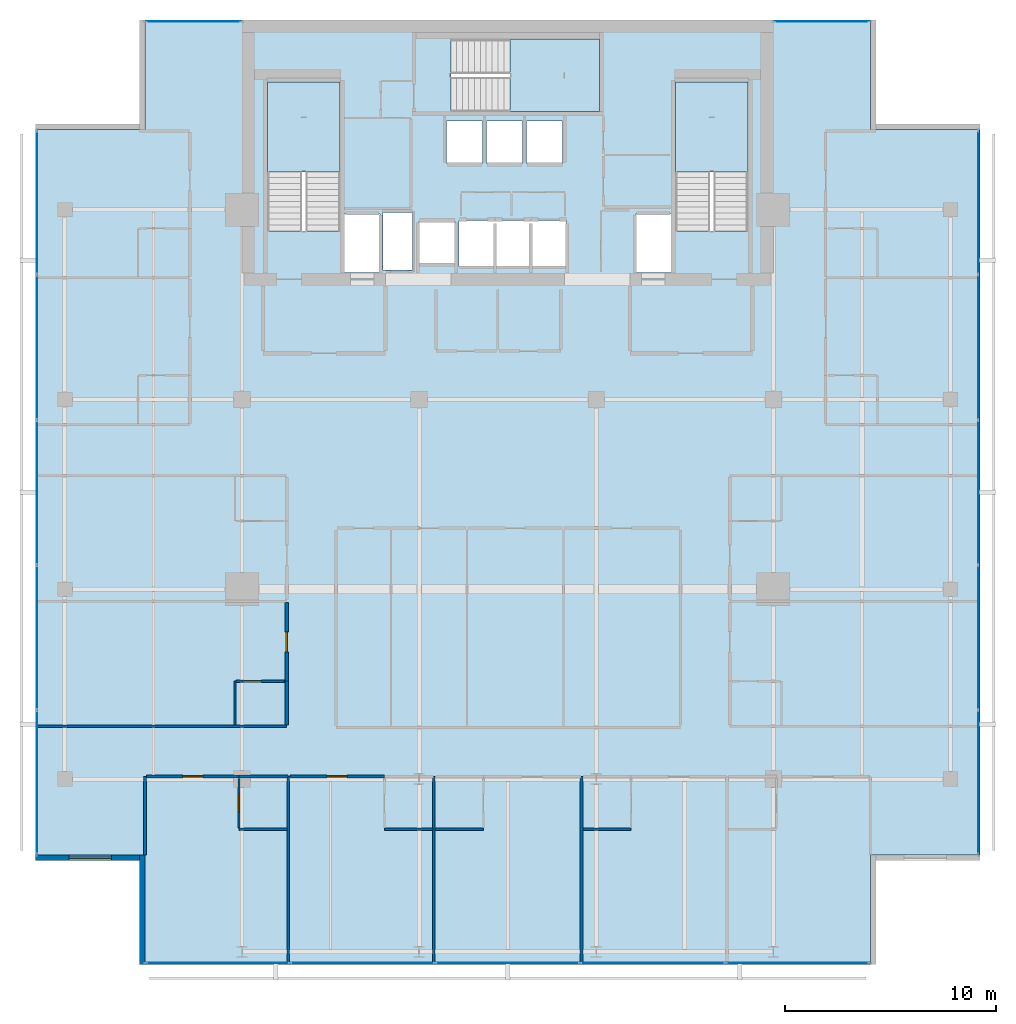
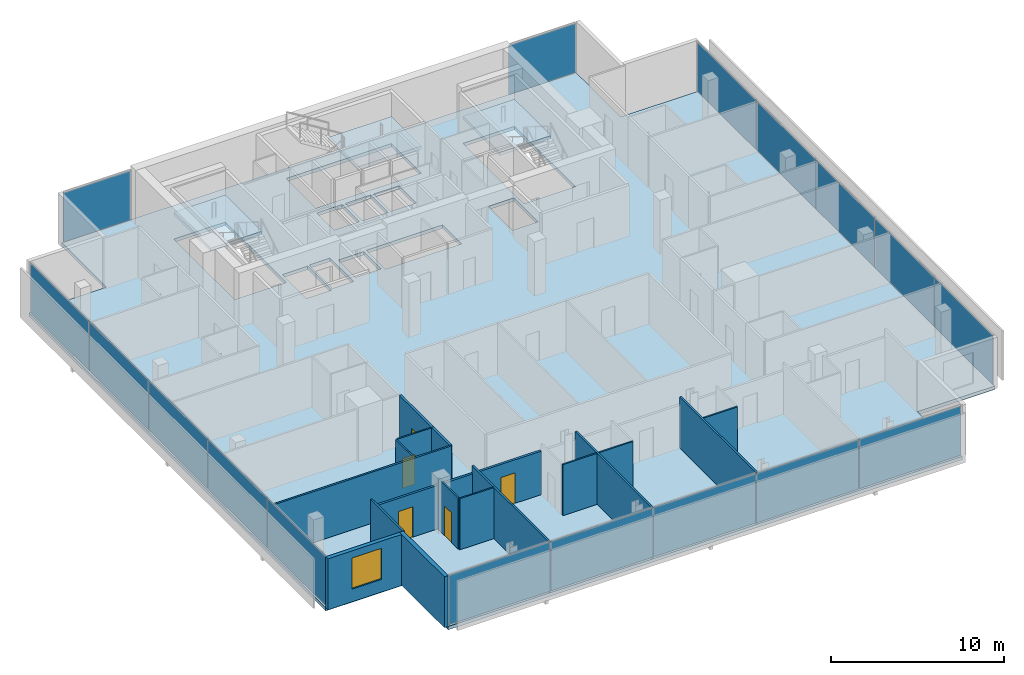
# One storey, part 19 of 26: 19 walls, 17 plates, 5 doors, 4 slabs, 1 window, 6 openings, 8 elements without a shape of their own.
"""IFC4 building model written with IfcOpenShell, lengths in metres."""

from ifc_helpers import new_model, si_unit, direction, frame, frame_2d, origin, origin_2d, place, context, subcontext, project, spatial, polyline, rectangle, outline, extrude, material, layer, layer_set, type_object, element, fill, aggregate, save


model = new_model("IFC4")

# Units and contexts
model_context = context("Model", 3, precision=1e-05, world=origin(), true_north=direction((0.0, 1.0)))
body_context = subcontext(model_context, "Body", "Model", "MODEL_VIEW")
ifc_project = project(units=[si_unit("LENGTHUNIT", "METRE"), si_unit("AREAUNIT", "SQUARE_METRE"), si_unit("VOLUMEUNIT", "CUBIC_METRE"), si_unit("PLANEANGLEUNIT", "RADIAN"), si_unit("MASSUNIT", "GRAM", prefix="KILO")], contexts=[model_context])

# Site, building, storey
site_placement = place(None, origin())
site = spatial("IfcSite", under=ifc_project, at=site_placement, CompositionType="ELEMENT")
building_placement = place(site_placement, origin())
building = spatial("IfcBuilding", under=site, at=building_placement, Name="Maruvema Waterfront Hotel and Observation Tower", CompositionType="ELEMENT")
storey_placement = place(building_placement, frame((0.0, 0.0, 266.35009765625)))
storey = spatial("IfcBuildingStorey", under=building, at=storey_placement, Name="L65", CompositionType="ELEMENT", Elevation=266.35009765625)

# Slab
ifc_material_1 = material(Name="Concrete C50/60", Category="concrete")
ifc_layer_1 = layer(ifc_material_1, 0.239990234375, Name="Reinforced Concrete Floor Slab 240 mm")
ifc_layer_set_1 = layer_set([ifc_layer_1], Name="Concrete C50/60")
slab_type_1 = type_object("IfcSlabType", Name="Reinforced Concrete Floor Slab 240 mm", PredefinedType="FLOOR", material=ifc_layer_set_1)
slab_1_placement = place(storey_placement, frame((0.0, 0.0, -0.239990234375)))
element("IfcSlab", 1, at=slab_1_placement, inside=storey, type_object=slab_type_1, Name="L65 Structural Floor Slab", PredefinedType="FLOOR", context=body_context, shape_type="SweptSolid", body=[
    extrude(outline(polyline([(20.60009765625, 9.199951171875), (55.0, 9.199951171875), (55.0, 14.39990234375), (60.199951171875, 14.39990234375), (60.199951171875, 48.800048828125), (55.0, 48.800048828125), (55.0, 54.0), (20.60009765625, 54.0), (20.60009765625, 48.800048828125), (15.39990234375, 48.800048828125), (15.39990234375, 14.39990234375), (20.60009765625, 14.39990234375), (20.60009765625, 9.199951171875)]), holes=[polyline([(26.39990234375, 44.00048828125), (26.39990234375, 51.050048828125), (29.85009765625, 51.050048828125), (29.85009765625, 44.00048828125), (26.39990234375, 44.00048828125)]), polyline([(30.050048828125, 44.800048828125), (31.75, 44.800048828125), (31.75, 42.02001953125), (30.050048828125, 42.02001953125), (30.050048828125, 44.800048828125)]), polyline([(31.8798828125, 42.139892578125), (31.8798828125, 44.860107421875), (33.280029296875, 44.860107421875), (33.280029296875, 42.139892578125), (31.8798828125, 42.139892578125)]), polyline([(33.60009765625, 44.449951171875), (35.300048828125, 44.449951171875), (35.300048828125, 42.449951171875), (33.60009765625, 42.449951171875), (33.60009765625, 44.449951171875)]), polyline([(34.89990234375, 49.199951171875), (36.60009765625, 49.199951171875), (36.60009765625, 47.199951171875), (34.89990234375, 47.199951171875), (34.89990234375, 49.199951171875)]), polyline([(36.800048828125, 47.199951171875), (36.800048828125, 49.199951171875), (38.5, 49.199951171875), (38.5, 47.199951171875), (36.800048828125, 47.199951171875)]), polyline([(35.5, 42.300048828125), (35.5, 44.5), (40.60009765625, 44.5), (40.60009765625, 42.300048828125), (35.5, 42.300048828125)]), polyline([(35.1005859375, 53.10009765625), (42.14990234375, 53.10009765625), (42.14990234375, 49.64990234375), (35.1005859375, 49.64990234375), (35.1005859375, 53.10009765625)]), polyline([(38.699951171875, 49.199951171875), (40.39990234375, 49.199951171875), (40.39990234375, 47.199951171875), (38.699951171875, 47.199951171875), (38.699951171875, 49.199951171875)]), polyline([(43.85009765625, 44.800048828125), (45.550048828125, 44.800048828125), (45.550048828125, 42.02001953125), (43.85009765625, 42.02001953125), (43.85009765625, 44.800048828125)]), polyline([(45.75, 44.00048828125), (45.75, 51.050048828125), (49.199951171875, 51.050048828125), (49.199951171875, 44.00048828125), (45.75, 44.00048828125)])]), origin(), (0.0, 0.0, 1.0), 0.239990234375),
])

# Curtain wall, plates
ifc_material_2 = material(Name="Anodised bronze aluminium and solar-control low-E IGU", Category="aluminium")
ifc_layer_2 = layer(ifc_material_2, 0.159912109375, Name="Zone 3 Champagne Inner Thermal Curtain Wall System CW-04")
ifc_layer_set_2 = layer_set([ifc_layer_2], Name="Anodised bronze aluminium and solar-control low-E IGU")
curtain_wall_type = type_object("IfcCurtainWallType", Name="Zone 3 Champagne Inner Thermal Curtain Wall System CW-04", PredefinedType="USERDEFINED", material=ifc_layer_set_2)
curtain_wall_1_placement = place(storey_placement, origin())
curtain_wall_1 = element("IfcCurtainWall", 2, at=curtain_wall_1_placement, inside=storey, type_object=curtain_wall_type, Name="L65 Curtain Wall CW-L65-S", ObjectType="UNITISED CURTAIN WALL", PredefinedType="USERDEFINED")
ifc_material_3 = material(Name="Laminated low-E solar-control double glazing", Category="glass")
ifc_layer_3 = layer(ifc_material_3, 0.035888671875, Name="Solar Control Double-Glazed Curtain Panel 36 mm")
ifc_layer_set_3 = layer_set([ifc_layer_3], Name="Laminated low-E solar-control double glazing")
plate_type = type_object("IfcPlateType", Name="Solar Control Double-Glazed Curtain Panel 36 mm", PredefinedType="CURTAIN_PANEL", material=ifc_layer_set_3)
plate_1_placement = place(storey_placement, frame((24.054931640625, 9.280029296875, 0.06005859375), z_axis=(0.0, 0.0, 1.0), x_axis=(1.0, 0.0, 0.0)))
plate_1 = element("IfcPlate", 3, at=plate_1_placement, type_object=plate_type, Name="CW-04 panel 1.1", PredefinedType="CURTAIN_PANEL", context=body_context, shape_type="SweptSolid", body=[
    extrude(rectangle(XDim=6.7900390625, YDim=0.028076171875, at=origin_2d()), origin(), (0.0, 0.0, 1.0), 3.489990234375),
])
plate_2_placement = place(storey_placement, frame((30.919921875, 9.280029296875, 0.06005859375), z_axis=(0.0, 0.0, 1.0), x_axis=(1.0, 0.0, 0.0)))
plate_2 = element("IfcPlate", 4, at=plate_2_placement, type_object=plate_type, Name="CW-04 panel 2.1", PredefinedType="CURTAIN_PANEL", context=body_context, shape_type="SweptSolid", body=[
    extrude(rectangle(XDim=6.820068359375, YDim=0.028076171875, at=origin_2d()), origin(), (0.0, 0.0, 1.0), 3.489990234375),
])
plate_3_placement = place(storey_placement, frame((37.800048828125, 9.280029296875, 0.06005859375), z_axis=(0.0, 0.0, 1.0), x_axis=(1.0, 0.0, 0.0)))
plate_3 = element("IfcPlate", 5, at=plate_3_placement, type_object=plate_type, Name="CW-04 panel 3.1", PredefinedType="CURTAIN_PANEL", context=body_context, shape_type="SweptSolid", body=[
    extrude(rectangle(XDim=6.820068359375, YDim=0.028076171875, at=origin_2d()), origin(), (0.0, 0.0, 1.0), 3.489990234375),
])
plate_4_placement = place(storey_placement, frame((44.679931640625, 9.280029296875, 0.06005859375), z_axis=(0.0, 0.0, 1.0), x_axis=(1.0, 0.0, 0.0)))
plate_4 = element("IfcPlate", 6, at=plate_4_placement, type_object=plate_type, Name="CW-04 panel 4.1", PredefinedType="CURTAIN_PANEL", context=body_context, shape_type="SweptSolid", body=[
    extrude(rectangle(XDim=6.820068359375, YDim=0.028076171875, at=origin_2d()), origin(), (0.0, 0.0, 1.0), 3.489990234375),
])
plate_5_placement = place(storey_placement, frame((51.544921875, 9.280029296875, 0.06005859375), z_axis=(0.0, 0.0, 1.0), x_axis=(1.0, 0.0, 0.0)))
plate_5 = element("IfcPlate", 7, at=plate_5_placement, type_object=plate_type, Name="CW-04 panel 5.1", PredefinedType="CURTAIN_PANEL", context=body_context, shape_type="SweptSolid", body=[
    extrude(rectangle(XDim=6.7900390625, YDim=0.028076171875, at=origin_2d()), origin(), (0.0, 0.0, 1.0), 3.489990234375),
])
aggregate(curtain_wall_1, [plate_1, plate_2, plate_3, plate_4, plate_5])

curtain_wall_2_placement = place(storey_placement, origin())
curtain_wall_2 = element("IfcCurtainWall", 8, at=curtain_wall_2_placement, inside=storey, type_object=curtain_wall_type, Name="L65 Curtain Wall CW-L65-E", ObjectType="UNITISED CURTAIN WALL", PredefinedType="USERDEFINED")
plate_6_placement = place(storey_placement, frame((60.1201171875, 17.85498046875, 0.06005859375), z_axis=(0.0, 0.0, 1.0), x_axis=(0.0, 1.0, 0.0)))
plate_6 = element("IfcPlate", 9, at=plate_6_placement, type_object=plate_type, Name="CW-04 panel 1.1", PredefinedType="CURTAIN_PANEL", context=body_context, shape_type="SweptSolid", body=[
    extrude(rectangle(XDim=6.7900390625, YDim=0.028076171875, at=origin_2d()), origin(), (0.0, 0.0, 1.0), 3.489990234375),
])
plate_7_placement = place(storey_placement, frame((60.1201171875, 24.719970703125, 0.06005859375), z_axis=(0.0, 0.0, 1.0), x_axis=(0.0, 1.0, 0.0)))
plate_7 = element("IfcPlate", 10, at=plate_7_placement, type_object=plate_type, Name="CW-04 panel 2.1", PredefinedType="CURTAIN_PANEL", context=body_context, shape_type="SweptSolid", body=[
    extrude(rectangle(XDim=6.820068359375, YDim=0.028076171875, at=origin_2d()), origin(), (0.0, 0.0, 1.0), 3.489990234375),
])
plate_8_placement = place(storey_placement, frame((60.1201171875, 31.60009765625, 0.06005859375), z_axis=(0.0, 0.0, 1.0), x_axis=(0.0, 1.0, 0.0)))
plate_8 = element("IfcPlate", 11, at=plate_8_placement, type_object=plate_type, Name="CW-04 panel 3.1", PredefinedType="CURTAIN_PANEL", context=body_context, shape_type="SweptSolid", body=[
    extrude(rectangle(XDim=6.820068359375, YDim=0.028076171875, at=origin_2d()), origin(), (0.0, 0.0, 1.0), 3.489990234375),
])
plate_9_placement = place(storey_placement, frame((60.1201171875, 38.47998046875, 0.06005859375), z_axis=(0.0, 0.0, 1.0), x_axis=(0.0, 1.0, 0.0)))
plate_9 = element("IfcPlate", 12, at=plate_9_placement, type_object=plate_type, Name="CW-04 panel 4.1", PredefinedType="CURTAIN_PANEL", context=body_context, shape_type="SweptSolid", body=[
    extrude(rectangle(XDim=6.820068359375, YDim=0.028076171875, at=origin_2d()), origin(), (0.0, 0.0, 1.0), 3.489990234375),
])
plate_10_placement = place(storey_placement, frame((60.1201171875, 45.344970703125, 0.06005859375), z_axis=(0.0, 0.0, 1.0), x_axis=(0.0, 1.0, 0.0)))
plate_10 = element("IfcPlate", 13, at=plate_10_placement, type_object=plate_type, Name="CW-04 panel 5.1", PredefinedType="CURTAIN_PANEL", context=body_context, shape_type="SweptSolid", body=[
    extrude(rectangle(XDim=6.7900390625, YDim=0.028076171875, at=origin_2d()), origin(), (0.0, 0.0, 1.0), 3.489990234375),
])
aggregate(curtain_wall_2, [plate_6, plate_7, plate_8, plate_9, plate_10])

curtain_wall_3_placement = place(storey_placement, origin())
curtain_wall_3 = element("IfcCurtainWall", 14, at=curtain_wall_3_placement, inside=storey, type_object=curtain_wall_type, Name="L65 Curtain Wall CW-L65-W", ObjectType="UNITISED CURTAIN WALL", PredefinedType="USERDEFINED")
plate_11_placement = place(storey_placement, frame((15.47998046875, 45.344970703125, 0.06005859375), z_axis=(0.0, 0.0, 1.0), x_axis=(0.0, -1.0, 0.0)))
plate_11 = element("IfcPlate", 15, at=plate_11_placement, type_object=plate_type, Name="CW-04 panel 1.1", PredefinedType="CURTAIN_PANEL", context=body_context, shape_type="SweptSolid", body=[
    extrude(rectangle(XDim=6.7900390625, YDim=0.028076171875, at=origin_2d()), origin(), (0.0, 0.0, 1.0), 3.489990234375),
])
plate_12_placement = place(storey_placement, frame((15.47998046875, 38.47998046875, 0.06005859375), z_axis=(0.0, 0.0, 1.0), x_axis=(0.0, -1.0, 0.0)))
plate_12 = element("IfcPlate", 16, at=plate_12_placement, type_object=plate_type, Name="CW-04 panel 2.1", PredefinedType="CURTAIN_PANEL", context=body_context, shape_type="SweptSolid", body=[
    extrude(rectangle(XDim=6.820068359375, YDim=0.028076171875, at=origin_2d()), origin(), (0.0, 0.0, 1.0), 3.489990234375),
])
plate_13_placement = place(storey_placement, frame((15.47998046875, 31.60009765625, 0.06005859375), z_axis=(0.0, 0.0, 1.0), x_axis=(0.0, -1.0, 0.0)))
plate_13 = element("IfcPlate", 17, at=plate_13_placement, type_object=plate_type, Name="CW-04 panel 3.1", PredefinedType="CURTAIN_PANEL", context=body_context, shape_type="SweptSolid", body=[
    extrude(rectangle(XDim=6.820068359375, YDim=0.028076171875, at=origin_2d()), origin(), (0.0, 0.0, 1.0), 3.489990234375),
])
plate_14_placement = place(storey_placement, frame((15.47998046875, 24.719970703125, 0.06005859375), z_axis=(0.0, 0.0, 1.0), x_axis=(0.0, -1.0, 0.0)))
plate_14 = element("IfcPlate", 18, at=plate_14_placement, type_object=plate_type, Name="CW-04 panel 4.1", PredefinedType="CURTAIN_PANEL", context=body_context, shape_type="SweptSolid", body=[
    extrude(rectangle(XDim=6.820068359375, YDim=0.028076171875, at=origin_2d()), origin(), (0.0, 0.0, 1.0), 3.489990234375),
])
plate_15_placement = place(storey_placement, frame((15.47998046875, 17.85498046875, 0.06005859375), z_axis=(0.0, 0.0, 1.0), x_axis=(0.0, -1.0, 0.0)))
plate_15 = element("IfcPlate", 19, at=plate_15_placement, type_object=plate_type, Name="CW-04 panel 5.1", PredefinedType="CURTAIN_PANEL", context=body_context, shape_type="SweptSolid", body=[
    extrude(rectangle(XDim=6.7900390625, YDim=0.028076171875, at=origin_2d()), origin(), (0.0, 0.0, 1.0), 3.489990234375),
])
aggregate(curtain_wall_3, [plate_11, plate_12, plate_13, plate_14, plate_15])

# Curtain wall, plate
curtain_wall_4_placement = place(storey_placement, origin())
curtain_wall_4 = element("IfcCurtainWall", 20, at=curtain_wall_4_placement, inside=storey, type_object=curtain_wall_type, Name="L65 Curtain Wall CW-L65-NW", ObjectType="UNITISED CURTAIN WALL", PredefinedType="USERDEFINED")
plate_16_placement = place(storey_placement, frame((22.89990234375, 53.919921875, 0.06005859375), z_axis=(0.0, 0.0, 1.0), x_axis=(-1.0, 0.0, 0.0)))
plate_16 = element("IfcPlate", 21, at=plate_16_placement, type_object=plate_type, Name="CW-04 panel 1.1", PredefinedType="CURTAIN_PANEL", context=body_context, shape_type="SweptSolid", body=[
    extrude(rectangle(XDim=4.47998046875, YDim=0.028076171875, at=origin_2d()), origin(), (0.0, 0.0, 1.0), 3.489990234375),
])
aggregate(curtain_wall_4, [plate_16])

curtain_wall_5_placement = place(storey_placement, origin())
curtain_wall_5 = element("IfcCurtainWall", 22, at=curtain_wall_5_placement, inside=storey, type_object=curtain_wall_type, Name="L65 Curtain Wall CW-L65-NE", ObjectType="UNITISED CURTAIN WALL", PredefinedType="USERDEFINED")
plate_17_placement = place(storey_placement, frame((52.699951171875, 53.919921875, 0.06005859375), z_axis=(0.0, 0.0, 1.0), x_axis=(-1.0, 0.0, 0.0)))
plate_17 = element("IfcPlate", 23, at=plate_17_placement, type_object=plate_type, Name="CW-04 panel 1.1", PredefinedType="CURTAIN_PANEL", context=body_context, shape_type="SweptSolid", body=[
    extrude(rectangle(XDim=4.47998046875, YDim=0.028076171875, at=origin_2d()), origin(), (0.0, 0.0, 1.0), 3.489990234375),
])
aggregate(curtain_wall_5, [plate_17])

# Stair, slab
ifc_material_4 = material(Name="Concrete C50/60", Category="concrete")
stair_type = type_object("IfcStairType", Name="Dogleg Exit Stair 1650 mm (22R x 175.0 mm)", PredefinedType="HALF_TURN_STAIR", material=ifc_material_4)
stair_1_placement = place(storey_placement, origin())
stair_1 = element("IfcStair", 24, at=stair_1_placement, inside=storey, type_object=stair_type, Name="L65 ST-01", PredefinedType="HALF_TURN_STAIR")
ifc_material_5 = material(Name="Concrete C50/60", Category="concrete")
ifc_layer_4 = layer(ifc_material_5, 0.219970703125, Name="Stair Concrete Landing Slab 220 mm")
ifc_layer_set_4 = layer_set([ifc_layer_4], Name="Concrete C50/60")
slab_type_2 = type_object("IfcSlabType", Name="Stair Concrete Landing Slab 220 mm", PredefinedType="LANDING", material=ifc_layer_set_4)
slab_2_placement = place(storey_placement, frame((0.0, 0.0, 1.704833984375)))
slab_2 = element("IfcSlab", 25, at=slab_2_placement, type_object=slab_type_2, Name="ST-01 landing 1", PredefinedType="LANDING", context=body_context, shape_type="SweptSolid", body=[
    extrude(outline(polyline([(29.85009765625, 46.800048828125), (29.85009765625, 51.050048828125), (26.39990234375, 51.050048828125), (26.39990234375, 46.800048828125), (29.85009765625, 46.800048828125)])), origin(), (0.0, 0.0, 1.0), 0.219970703125),
])
aggregate(stair_1, [slab_2])

stair_2_placement = place(storey_placement, origin())
stair_2 = element("IfcStair", 26, at=stair_2_placement, inside=storey, type_object=stair_type, Name="L65 ST-02", PredefinedType="HALF_TURN_STAIR")
slab_3_placement = place(storey_placement, frame((0.0, 0.0, 1.704833984375)))
slab_3 = element("IfcSlab", 27, at=slab_3_placement, type_object=slab_type_2, Name="ST-02 landing 1", PredefinedType="LANDING", context=body_context, shape_type="SweptSolid", body=[
    extrude(outline(polyline([(37.89990234375, 49.64990234375), (42.14990234375, 49.64990234375), (42.14990234375, 53.10009765625), (37.89990234375, 53.10009765625), (37.89990234375, 49.64990234375)])), origin(), (0.0, 0.0, 1.0), 0.219970703125),
])
aggregate(stair_2, [slab_3])

stair_3_placement = place(storey_placement, origin())
stair_3 = element("IfcStair", 28, at=stair_3_placement, inside=storey, type_object=stair_type, Name="L65 ST-03", PredefinedType="HALF_TURN_STAIR")
slab_4_placement = place(storey_placement, frame((0.0, 0.0, 1.704833984375)))
slab_4 = element("IfcSlab", 29, at=slab_4_placement, type_object=slab_type_2, Name="ST-03 landing 1", PredefinedType="LANDING", context=body_context, shape_type="SweptSolid", body=[
    extrude(outline(polyline([(49.199951171875, 46.800048828125), (49.199951171875, 51.050048828125), (45.75, 51.050048828125), (45.75, 46.800048828125), (49.199951171875, 46.800048828125)])), origin(), (0.0, 0.0, 1.0), 0.219970703125),
])
aggregate(stair_3, [slab_4])

# Wall
ifc_material_6 = material(Name="Twin-stud acoustic gypsum drywall", Category="gypsum")
ifc_layer_5 = layer(ifc_material_6, 0.14990234375, Name="Acoustic Corridor and Suite Demising Wall 150 mm")
ifc_layer_set_5 = layer_set([ifc_layer_5], Name="Twin-stud acoustic gypsum drywall")
wall_type_1 = type_object("IfcWallType", Name="Acoustic Corridor and Suite Demising Wall 150 mm", PredefinedType="PARTITIONING", material=ifc_layer_set_5)
wall_1_placement = place(storey_placement, frame((25.050048828125, 18.1201171875, 0.0), z_axis=(0.0, 0.0, 1.0), x_axis=(1.0, 0.0, 0.0)))
element("IfcWall", 30, at=wall_1_placement, inside=storey, type_object=wall_type_1, Name="L65 Bath L65-S1 Back Wall 043", PredefinedType="PARTITIONING", context=body_context, shape_type="SweptSolid", body=[
    extrude(rectangle(XDim=2.329833984375, YDim=0.14990234375, at=frame_2d((1.1650390625, 0.0))), origin(), (0.0, 0.0, 1.0), 3.076904296875),
])

# Wall, opening, door
wall_2_placement = place(storey_placement, frame((20.679931640625, 18.1201171875, 0.0), z_axis=(0.0, 0.0, 1.0), x_axis=(1.0, 0.0, 0.0)))
wall_2 = element("IfcWall", 31, at=wall_2_placement, inside=storey, type_object=wall_type_1, Name="L65 Unit L65-S1 Corridor Wall 046", PredefinedType="PARTITIONING", context=body_context, shape_type="SweptSolid", body=[
    extrude(rectangle(XDim=4.3701171875, YDim=0.14990234375, at=frame_2d((2.18505859375, 0.0))), origin(), (0.0, 0.0, 1.0), 3.076904296875),
])
opening_1_placement = place(wall_2_placement, frame((1.7099609375, 0.0, 0.0)))
opening_1 = element("IfcOpeningElement", 32, at=opening_1_placement, cuts=wall_2, Name="Opening DR-095", PredefinedType="OPENING", context=body_context, shape_type="SweptSolid", body=[
    extrude(rectangle(XDim=0.949951171875, YDim=2.14990234375, at=frame_2d((0.47509765625, 1.074951171875))), frame((0.0, 0.0849609375, 0.0), z_axis=(0.0, -1.0, 0.0), x_axis=(1.0, 0.0, 0.0)), (0.0, 0.0, 1.0), 0.169921875),
])
ifc_material_7 = material(Name="Acoustic solid-core hardwood timber leaf", Category="wood")
door_type_1 = type_object("IfcDoorType", Name="Guestroom Entrance Fire Door 950x2150 mm", OperationType="NOTDEFINED", PredefinedType="DOOR", material=ifc_material_7)
door_1_placement = place(opening_1_placement, frame((0.949951171875, 0.0, 0.0), z_axis=(0.0, 0.0, 1.0), x_axis=(-1.0, 0.0, 0.0)))
door_1 = element("IfcDoor", 33, at=door_1_placement, inside=storey, type_object=door_type_1, Name="L65 Unit L65-S1 Entrance Door", OperationType="SINGLE_SWING_RIGHT", OverallHeight=2.14990234375, OverallWidth=0.949951171875, PredefinedType="DOOR", context=body_context, shape_type="SweptSolid", body=[
    extrude(rectangle(XDim=0.949951171875, YDim=2.14990234375, at=frame_2d((0.47509765625, 1.074951171875))), frame((0.0, 0.02490234375, 0.0), z_axis=(0.0, -1.0, 0.0), x_axis=(1.0, 0.0, 0.0)), (0.0, 0.0, 1.0), 0.050048828125),
])
fill(opening_1, door_1)

wall_3_placement = place(storey_placement, frame((27.47998046875, 18.1201171875, 0.0), z_axis=(0.0, 0.0, 1.0), x_axis=(1.0, 0.0, 0.0)))
wall_3 = element("IfcWall", 34, at=wall_3_placement, inside=storey, type_object=wall_type_1, Name="L65 Unit L65-S2 Corridor Wall 051", PredefinedType="PARTITIONING", context=body_context, shape_type="SweptSolid", body=[
    extrude(rectangle(XDim=4.469970703125, YDim=0.14990234375, at=frame_2d((2.23486328125, 0.0))), origin(), (0.0, 0.0, 1.0), 3.076904296875),
])
opening_2_placement = place(wall_3_placement, frame((1.760009765625, 0.0, 0.0)))
opening_2 = element("IfcOpeningElement", 35, at=opening_2_placement, cuts=wall_3, Name="Opening DR-095", PredefinedType="OPENING", context=body_context, shape_type="SweptSolid", body=[
    extrude(rectangle(XDim=0.949951171875, YDim=2.14990234375, at=frame_2d((0.47509765625, 1.074951171875))), frame((0.0, 0.0849609375, 0.0), z_axis=(0.0, -1.0, 0.0), x_axis=(1.0, 0.0, 0.0)), (0.0, 0.0, 1.0), 0.169921875),
])
door_2_placement = place(opening_2_placement, frame((0.949951171875, 0.0, 0.0), z_axis=(0.0, 0.0, 1.0), x_axis=(-1.0, 0.0, 0.0)))
door_2 = element("IfcDoor", 36, at=door_2_placement, inside=storey, type_object=door_type_1, Name="L65 Unit L65-S2 Entrance Door", OperationType="SINGLE_SWING_RIGHT", OverallHeight=2.14990234375, OverallWidth=0.949951171875, PredefinedType="DOOR", context=body_context, shape_type="SweptSolid", body=[
    extrude(rectangle(XDim=0.949951171875, YDim=2.14990234375, at=frame_2d((0.47509765625, 1.074951171875))), frame((0.0, 0.02490234375, 0.0), z_axis=(0.0, -1.0, 0.0), x_axis=(1.0, 0.0, 0.0)), (0.0, 0.0, 1.0), 0.050048828125),
])
fill(opening_2, door_2)

# Wall
wall_4_placement = place(storey_placement, frame((27.320068359375, 20.56005859375, 0.0), z_axis=(0.0, 0.0, 1.0), x_axis=(0.0, 1.0, 0.0)))
element("IfcWall", 37, at=wall_4_placement, inside=storey, type_object=wall_type_1, Name="L65 Bath L65-W1 Wall 071", PredefinedType="PARTITIONING", context=body_context, shape_type="SweptSolid", body=[
    extrude(rectangle(XDim=2.079833984375, YDim=0.14990234375, at=frame_2d((1.0400390625, 0.0))), origin(), (0.0, 0.0, 1.0), 3.60986328125),
])

# Wall, opening, door
wall_5_placement = place(storey_placement, frame((27.320068359375, 22.639892578125, 0.0), z_axis=(0.0, 0.0, 1.0), x_axis=(0.0, 1.0, 0.0)))
wall_5 = element("IfcWall", 38, at=wall_5_placement, inside=storey, type_object=wall_type_1, Name="L65 Room L65-W1 Corridor Wall 072", PredefinedType="PARTITIONING", context=body_context, shape_type="SweptSolid", body=[
    extrude(rectangle(XDim=3.739990234375, YDim=0.14990234375, at=frame_2d((1.8701171875, 0.0))), origin(), (0.0, 0.0, 1.0), 3.60986328125),
])
opening_3_placement = place(wall_5_placement, frame((1.39501953125, 0.0, 0.0)))
opening_3 = element("IfcOpeningElement", 39, at=opening_3_placement, cuts=wall_5, Name="Opening DR-095", PredefinedType="OPENING", context=body_context, shape_type="SweptSolid", body=[
    extrude(rectangle(XDim=0.949951171875, YDim=2.14990234375, at=frame_2d((0.47509765625, 1.074951171875))), frame((0.0, 0.0849609375, 0.0), z_axis=(0.0, -1.0, 0.0), x_axis=(1.0, 0.0, 0.0)), (0.0, 0.0, 1.0), 0.169921875),
])
door_3_placement = place(opening_3_placement, origin())
door_3 = element("IfcDoor", 40, at=door_3_placement, inside=storey, type_object=door_type_1, Name="L65 Room L65-W1 Entrance Door", OperationType="SINGLE_SWING_RIGHT", OverallHeight=2.14990234375, OverallWidth=0.949951171875, PredefinedType="DOOR", context=body_context, shape_type="SweptSolid", body=[
    extrude(rectangle(XDim=0.949951171875, YDim=2.14990234375, at=frame_2d((0.47509765625, 1.074951171875))), frame((0.0, 0.02490234375, 0.0), z_axis=(0.0, -1.0, 0.0), x_axis=(1.0, 0.0, 0.0)), (0.0, 0.0, 1.0), 0.050048828125),
])
fill(opening_3, door_3)

# Wall
ifc_material_8 = material(Name="Moisture-resistant cement-board drywall", Category="gypsum")
ifc_layer_6 = layer(ifc_material_8, 0.10009765625, Name="En-Suite Moisture-Resistant Partition 100 mm")
ifc_layer_set_6 = layer_set([ifc_layer_6], Name="Moisture-resistant cement-board drywall")
wall_type_2 = type_object("IfcWallType", Name="En-Suite Moisture-Resistant Partition 100 mm", PredefinedType="PARTITIONING", material=ifc_layer_set_6)
wall_6_placement = place(storey_placement, frame((25.050048828125, 15.6201171875, 0.0), z_axis=(0.0, 0.0, 1.0), x_axis=(1.0, 0.0, 0.0)))
element("IfcWall", 41, at=wall_6_placement, inside=storey, type_object=wall_type_2, Name="L65 En-Suite L65-S1 South 044", PredefinedType="PARTITIONING", context=body_context, shape_type="SweptSolid", body=[
    extrude(rectangle(XDim=2.31005859375, YDim=0.10009765625, at=frame_2d((1.155029296875, 0.0))), origin(), (0.0, 0.0, 1.0), 3.60986328125),
])

# Wall, opening, door
wall_7_placement = place(storey_placement, frame((25.050048828125, 15.679931640625, 0.0), z_axis=(0.0, 0.0, 1.0), x_axis=(0.0, 1.0, 0.0)))
wall_7 = element("IfcWall", 42, at=wall_7_placement, inside=storey, type_object=wall_type_2, Name="L65 En-Suite L65-S1 West 045", PredefinedType="PARTITIONING", context=body_context, shape_type="SweptSolid", body=[
    extrude(rectangle(XDim=2.340087890625, YDim=0.10009765625, at=frame_2d((1.169921875, 0.0))), origin(), (0.0, 0.0, 1.0), 3.60986328125),
])
opening_4_placement = place(wall_7_placement, frame((0.7451171875, 0.0, 0.0)))
opening_4 = element("IfcOpeningElement", 43, at=opening_4_placement, cuts=wall_7, Name="Opening DR-085", PredefinedType="OPENING", context=body_context, shape_type="SweptSolid", body=[
    extrude(rectangle(XDim=0.85009765625, YDim=2.10009765625, at=frame_2d((0.425048828125, 1.050048828125))), frame((0.0, 0.06005859375, 0.0), z_axis=(0.0, -1.0, 0.0), x_axis=(1.0, 0.0, 0.0)), (0.0, 0.0, 1.0), 0.1201171875),
])
ifc_material_9 = material(Name="Moisture-resistant solid timber leaf", Category="wood")
door_type_2 = type_object("IfcDoorType", Name="En-Suite Bathroom Door 850x2100 mm", OperationType="NOTDEFINED", PredefinedType="DOOR", material=ifc_material_9)
door_4_placement = place(opening_4_placement, origin())
door_4 = element("IfcDoor", 44, at=door_4_placement, inside=storey, type_object=door_type_2, Name="L65 En-Suite L65-S1 Door", OperationType="SINGLE_SWING_LEFT", OverallHeight=2.10009765625, OverallWidth=0.85009765625, PredefinedType="DOOR", context=body_context, shape_type="SweptSolid", body=[
    extrude(rectangle(XDim=0.85009765625, YDim=2.10009765625, at=frame_2d((0.425048828125, 1.050048828125))), frame((0.0, 0.02490234375, 0.0), z_axis=(0.0, -1.0, 0.0), x_axis=(1.0, 0.0, 0.0)), (0.0, 0.0, 1.0), 0.050048828125),
])
fill(opening_4, door_4)

# Walls
wall_8_placement = place(storey_placement, frame((31.949951171875, 15.6201171875, 0.0), z_axis=(0.0, 0.0, 1.0), x_axis=(1.0, 0.0, 0.0)))
element("IfcWall", 45, at=wall_8_placement, inside=storey, type_object=wall_type_2, Name="L65 En-Suite L65-S2 South 049", PredefinedType="PARTITIONING", context=body_context, shape_type="SweptSolid", body=[
    extrude(rectangle(XDim=2.31005859375, YDim=0.10009765625, at=frame_2d((1.155029296875, 0.0))), origin(), (0.0, 0.0, 1.0), 3.60986328125),
])
for number, where, z_axis, x_axis, name in (
    (46, (34.3798828125, 15.6201171875, 0.0), (0.0, 0.0, 1.0), (1.0, 0.0, 0.0), "L65 En-Suite L65-S3 South 054"),
    (47, (41.3798828125, 15.6201171875, 0.0), (0.0, 0.0, 1.0), (1.0, 0.0, 0.0), "L65 En-Suite L65-S4 South 059"),
):
    element("IfcWall", number, at=place(storey_placement, frame(where, z_axis=z_axis, x_axis=x_axis)), inside=storey, type_object=wall_type_2, Name=name, PredefinedType="PARTITIONING", context=body_context, shape_type="SweptSolid", body=[
        extrude(rectangle(XDim=2.27001953125, YDim=0.10009765625, at=frame_2d((1.135009765625, 0.0))), origin(), (0.0, 0.0, 1.0), 3.60986328125),
    ])
wall_9_placement = place(storey_placement, frame((24.8701171875, 20.56005859375, 0.0), z_axis=(0.0, 0.0, 1.0), x_axis=(0.0, 1.0, 0.0)))
element("IfcWall", 48, at=wall_9_placement, inside=storey, type_object=wall_type_2, Name="L65 En-Suite L65-W1 W 073", PredefinedType="PARTITIONING", context=body_context, shape_type="SweptSolid", body=[
    extrude(rectangle(XDim=2.079833984375, YDim=0.10009765625, at=frame_2d((1.0400390625, 0.0))), origin(), (0.0, 0.0, 1.0), 3.60986328125),
])

# Wall, opening, door
wall_10_placement = place(storey_placement, frame((24.919921875, 22.639892578125, 0.0), z_axis=(0.0, 0.0, 1.0), x_axis=(1.0, 0.0, 0.0)))
wall_10 = element("IfcWall", 49, at=wall_10_placement, inside=storey, type_object=wall_type_2, Name="L65 En-Suite L65-W1 N 074", PredefinedType="PARTITIONING", context=body_context, shape_type="SweptSolid", body=[
    extrude(rectangle(XDim=2.300048828125, YDim=0.10009765625, at=frame_2d((1.14990234375, 0.0))), origin(), (0.0, 0.0, 1.0), 3.60986328125),
])
opening_5_placement = place(wall_10_placement, frame((0.35009765625, 0.0, 0.0)))
opening_5 = element("IfcOpeningElement", 50, at=opening_5_placement, cuts=wall_10, Name="Opening DR-085", PredefinedType="OPENING", context=body_context, shape_type="SweptSolid", body=[
    extrude(rectangle(XDim=0.85009765625, YDim=2.10009765625, at=frame_2d((0.425048828125, 1.050048828125))), frame((0.0, 0.06005859375, 0.0), z_axis=(0.0, -1.0, 0.0), x_axis=(1.0, 0.0, 0.0)), (0.0, 0.0, 1.0), 0.1201171875),
])
door_5_placement = place(opening_5_placement, origin())
door_5 = element("IfcDoor", 51, at=door_5_placement, inside=storey, type_object=door_type_2, Name="L65 En-Suite L65-W1 Door", OperationType="SINGLE_SWING_LEFT", OverallHeight=2.10009765625, OverallWidth=0.85009765625, PredefinedType="DOOR", context=body_context, shape_type="SweptSolid", body=[
    extrude(rectangle(XDim=0.85009765625, YDim=2.10009765625, at=frame_2d((0.425048828125, 1.050048828125))), frame((0.0, 0.02490234375, 0.0), z_axis=(0.0, -1.0, 0.0), x_axis=(1.0, 0.0, 0.0)), (0.0, 0.0, 1.0), 0.050048828125),
])
fill(opening_5, door_5)

# Wall
ifc_material_10 = material(Name="Precast concrete C45/55 with honed Pernambuco granite facing", Category="masonry")
ifc_layer_7 = layer(ifc_material_10, 0.260009765625, Name="Exterior Granite Clad Spandrel and Pier Wall 260 mm")
ifc_layer_set_7 = layer_set([ifc_layer_7], Name="Precast concrete C45/55 with honed Pernambuco granite facing")
wall_type_3 = type_object("IfcWallType", Name="Exterior Granite Clad Spandrel and Pier Wall 260 mm", PredefinedType="SOLIDWALL", material=ifc_layer_set_7)
wall_11_placement = place(storey_placement, frame((20.469970703125, 9.199951171875, 0.0), z_axis=(0.0, 0.0, 1.0), x_axis=(0.0, 1.0, 0.0)))
element("IfcWall", 52, at=wall_11_placement, inside=storey, type_object=wall_type_3, Name="L65 Corner Notch Granite Pier Wall SW1", PredefinedType="SOLIDWALL", context=body_context, shape_type="SweptSolid", body=[
    extrude(rectangle(XDim=5.199951171875, YDim=0.260009765625, at=frame_2d((2.60009765625, 0.0))), origin(), (0.0, 0.0, 1.0), 3.60986328125),
])

# Wall, opening, window
wall_12_placement = place(storey_placement, frame((20.60009765625, 14.27001953125, 0.0), z_axis=(0.0, 0.0, 1.0), x_axis=(-1.0, 0.0, 0.0)))
wall_12 = element("IfcWall", 53, at=wall_12_placement, inside=storey, type_object=wall_type_3, Name="L65 Corner Notch Granite Pier Wall SW2", PredefinedType="SOLIDWALL", context=body_context, shape_type="SweptSolid", body=[
    extrude(rectangle(XDim=5.2001953125, YDim=0.260009765625, at=frame_2d((2.60009765625, 0.0))), origin(), (0.0, 0.0, 1.0), 3.60986328125),
])
opening_6_placement = place(wall_12_placement, frame((1.60009765625, 0.0, 0.89990234375)))
opening_6 = element("IfcOpeningElement", 54, at=opening_6_placement, cuts=wall_12, Name="Opening WN-03", PredefinedType="OPENING", context=body_context, shape_type="SweptSolid", body=[
    extrude(rectangle(XDim=2.0, YDim=2.199951171875, at=frame_2d((1.0, 1.10009765625))), frame((0.0, 0.14013671875, 0.0), z_axis=(0.0, -1.0, 0.0), x_axis=(1.0, 0.0, 0.0)), (0.0, 0.0, 1.0), 0.280029296875),
])
ifc_material_11 = material(Name="Anodised bronze aluminium frame with laminated low-E glass", Category="aluminium")
window_type = type_object("IfcWindowType", Name="Sky Suite Panoramic Notch Window 2000x2200 mm", PartitioningType="SINGLE_PANEL", PredefinedType="WINDOW", material=ifc_material_11)
window_placement = place(opening_6_placement, origin())
window = element("IfcWindow", 55, at=window_placement, inside=storey, type_object=window_type, Name="L65 Corner Notch Punched Window SW2", OverallHeight=2.199951171875, OverallWidth=2.0, PartitioningType="SINGLE_PANEL", PredefinedType="WINDOW", context=body_context, shape_type="SweptSolid", body=[
    extrude(rectangle(XDim=2.0, YDim=2.199951171875, at=frame_2d((1.0, 1.10009765625))), frame((0.0, 0.030029296875, 0.0), z_axis=(0.0, -1.0, 0.0), x_axis=(1.0, 0.0, 0.0)), (0.0, 0.0, 1.0), 0.06005859375),
])
fill(opening_6, window)

# Walls
ifc_material_12 = material(Name="Acoustic gypsum plasterboard drywall", Category="gypsum")
ifc_layer_8 = layer(ifc_material_12, 0.125, Name="Guestroom Acoustic Demising Wall 125 mm")
ifc_layer_set_8 = layer_set([ifc_layer_8], Name="Acoustic gypsum plasterboard drywall")
wall_type_4 = type_object("IfcWallType", Name="Guestroom Acoustic Demising Wall 125 mm", PredefinedType="PARTITIONING", material=ifc_layer_set_8)
wall_13_placement = place(storey_placement, frame((20.60009765625, 14.39990234375, 0.0), z_axis=(0.0, 0.0, 1.0), x_axis=(0.0, 1.0, 0.0)))
element("IfcWall", 56, at=wall_13_placement, inside=storey, type_object=wall_type_4, Name="L65 Z3 S West End 041", PredefinedType="PARTITIONING", context=body_context, shape_type="SweptSolid", body=[
    extrude(rectangle(XDim=3.72021484375, YDim=0.125, at=frame_2d((1.860107421875, 0.0))), origin(), (0.0, 0.0, 1.0), 3.60986328125),
])
for number, where, z_axis, x_axis, name in (
    (57, (27.39990234375, 9.300048828125, 0.0), (0.0, 0.0, 1.0), (0.0, 1.0, 0.0), "L65 Z3 S Demising 2 047"),
    (58, (34.300048828125, 9.300048828125, 0.0), (0.0, 0.0, 1.0), (0.0, 1.0, 0.0), "L65 Z3 S Demising 3 052"),
    (59, (41.300048828125, 9.300048828125, 0.0), (0.0, 0.0, 1.0), (0.0, 1.0, 0.0), "L65 Z3 S Demising 4 057"),
):
    element("IfcWall", number, at=place(storey_placement, frame(where, z_axis=z_axis, x_axis=x_axis)), inside=storey, type_object=wall_type_4, Name=name, PredefinedType="PARTITIONING", context=body_context, shape_type="SweptSolid", body=[
        extrude(rectangle(XDim=8.820068359375, YDim=0.125, at=frame_2d((4.41015625, 0.0))), origin(), (0.0, 0.0, 1.0), 3.60986328125),
    ])
wall_14_placement = place(storey_placement, frame((15.5, 20.5, 0.0), z_axis=(0.0, 0.0, 1.0), x_axis=(1.0, 0.0, 0.0)))
element("IfcWall", 60, at=wall_14_placement, inside=storey, type_object=wall_type_4, Name="L65 Z3 W Bot End 067", PredefinedType="PARTITIONING", context=body_context, shape_type="SweptSolid", body=[
    extrude(rectangle(XDim=11.820068359375, YDim=0.125, at=frame_2d((5.91015625, 0.0))), origin(), (0.0, 0.0, 1.0), 3.60986328125),
])

save(model, "model.ifc")
